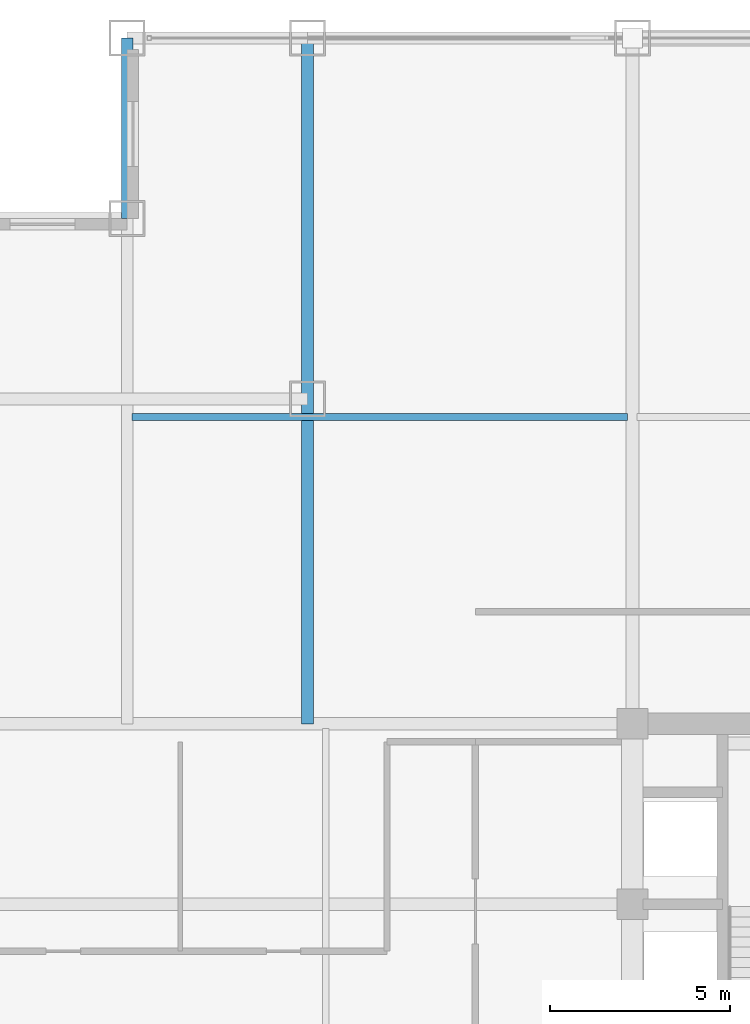
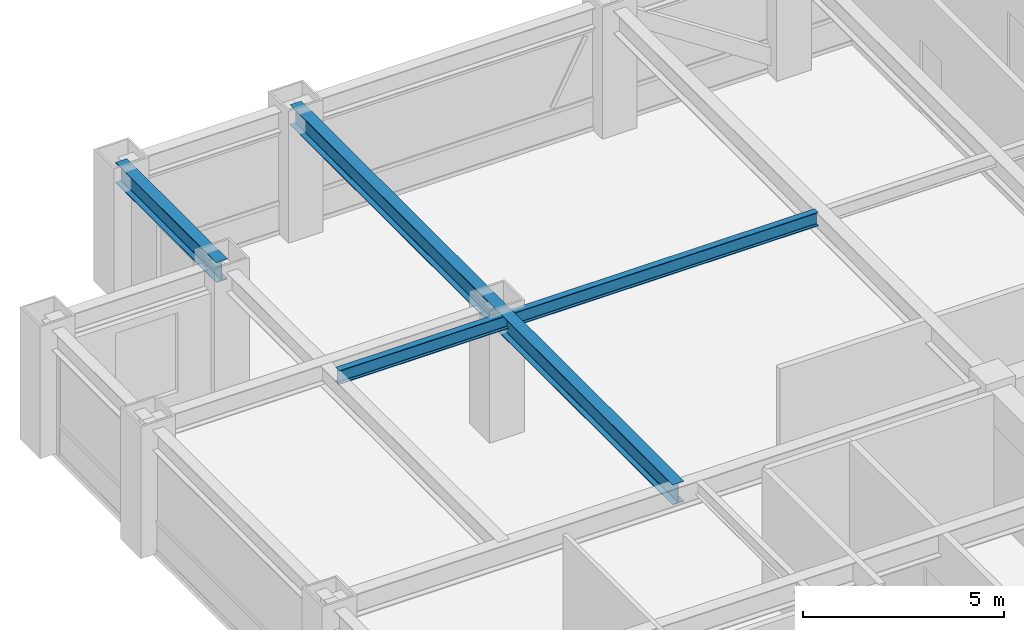
# One storey, part 13 of 25: 3 beams.
"""IFC4 building model written with IfcOpenShell, lengths in metres."""

from ifc_helpers import new_model, si_unit, direction, frame, origin, origin_2d, place, context, subcontext, project, spatial, i_section, extrude, source, transform, mapped, material, material_profile, profile_set, type_object, element, save


model = new_model("IFC4")

# Units and contexts
model_context = context("Model", 3, precision=1e-05, world=origin(), true_north=direction((0.0, 1.0)))
body_context = subcontext(model_context, "Body", "Model", "MODEL_VIEW")
ifc_project = project(units=[si_unit("LENGTHUNIT", "METRE"), si_unit("AREAUNIT", "SQUARE_METRE"), si_unit("VOLUMEUNIT", "CUBIC_METRE"), si_unit("PLANEANGLEUNIT", "RADIAN"), si_unit("MASSUNIT", "GRAM", prefix="KILO")], contexts=[model_context])

# Site, building, storey
site_placement = place(None, origin())
site = spatial("IfcSite", under=ifc_project, at=site_placement, CompositionType="ELEMENT")
building_placement = place(site_placement, origin())
building = spatial("IfcBuilding", under=site, at=building_placement, Name="Khorayat Bourse Tower", CompositionType="ELEMENT")
storey_placement = place(building_placement, frame((0.0, 0.0, 255.10009765625)))
storey = spatial("IfcBuildingStorey", under=building, at=storey_placement, Name="L60", CompositionType="ELEMENT", Elevation=255.10009765625)

# Beams
ifc_material = material(Name="Steel ASTM A992 Grade 50", Category="steel")
ifc_material_profile_1 = material_profile(ifc_material, i_section(OverallWidth=0.324951171875, OverallDepth=0.615966796875, WebThickness=0.013916015625, FlangeThickness=0.021484375, FilletRadius=0.01611328125, at=origin_2d()), Name="W610X174")
ifc_profile_set_1 = profile_set([ifc_material_profile_1], Name="Steel ASTM A992 Grade 50")
beam_type_1 = type_object("IfcBeamType", Name="BM-GIRD-610", PredefinedType="BEAM", material=ifc_profile_set_1)
shared_shape_1 = source(origin(), body_context, "Body", "SweptSolid", [
    extrude(i_section(OverallWidth=0.324951171875, OverallDepth=0.615966796875, WebThickness=0.013916015625, FlangeThickness=0.021484375, FilletRadius=0.01611328125, at=origin_2d()), origin(), (0.0, 0.0, 1.0), 19.0),
])
beam_1_placement = place(storey_placement, frame((-20.0, 11.0, 3.471923828125), z_axis=(0.0, 1.0, 0.0), x_axis=(-1.0, 0.0, 0.0)))
element("IfcBeam", 1, at=beam_1_placement, inside=storey, type_object=beam_type_1, Name="L60 BM-GIRD-610 BM-L60-CNRY-085", PredefinedType="BEAM", context=body_context, shape_type="MappedRepresentation", body=[
    mapped(shared_shape_1, transform((0.0, 0.0, 0.0), scale=1.0)),
])
ifc_material_profile_2 = material_profile(ifc_material, i_section(OverallWidth=0.324951171875, OverallDepth=0.615966796875, WebThickness=0.013916015625, FlangeThickness=0.021484375, FilletRadius=0.01611328125, at=origin_2d()), Name="W610X174")
ifc_profile_set_2 = profile_set([ifc_material_profile_2], Name="Steel ASTM A992 Grade 50")
beam_type_2 = type_object("IfcBeamType", Name="BM-SPAN-610", PredefinedType="SPANDREL", material=ifc_profile_set_2)
shared_shape_2 = source(origin(), body_context, "Body", "SweptSolid", [
    extrude(i_section(OverallWidth=0.324951171875, OverallDepth=0.615966796875, WebThickness=0.013916015625, FlangeThickness=0.021484375, FilletRadius=0.01611328125, at=origin_2d()), origin(), (0.0, 0.0, 1.0), 5.0),
])
beam_2_placement = place(storey_placement, frame((-25.0, 25.0, 3.471923828125), z_axis=(0.0, 1.0, 0.0), x_axis=(-1.0, 0.0, 0.0)))
element("IfcBeam", 2, at=beam_2_placement, inside=storey, type_object=beam_type_2, Name="L60 BM-SPAN-610 BM-L60-SPN-052", PredefinedType="SPANDREL", context=body_context, shape_type="MappedRepresentation", body=[
    mapped(shared_shape_2, transform((0.0, 0.0, 0.0), scale=1.0)),
])
ifc_material_profile_3 = material_profile(ifc_material, i_section(OverallWidth=0.180908203125, OverallDepth=0.4169921875, WebThickness=0.010986328125, FlangeThickness=0.018310546875, FilletRadius=0.011962890625, at=origin_2d()), Name="W410X85")
ifc_profile_set_3 = profile_set([ifc_material_profile_3], Name="Steel ASTM A992 Grade 50")
beam_type_3 = type_object("IfcBeamType", Name="BM-JOIST-410", PredefinedType="JOIST", material=ifc_profile_set_3)
shared_shape_3 = source(origin(), body_context, "Body", "SweptSolid", [
    extrude(i_section(OverallWidth=0.180908203125, OverallDepth=0.4169921875, WebThickness=0.010986328125, FlangeThickness=0.018310546875, FilletRadius=0.011962890625, at=origin_2d()), origin(), (0.0, 0.0, 1.0), 13.740234375),
])
beam_3_placement = place(storey_placement, frame((-24.8701171875, 19.5, 3.5712890625), z_axis=(1.0, 0.0, 0.0), x_axis=(0.0, 1.0, 0.0)))
element("IfcBeam", 3, at=beam_3_placement, inside=storey, type_object=beam_type_3, Name="L60 BM-JOIST-410 BM-L60-JSTX-099", PredefinedType="JOIST", context=body_context, shape_type="MappedRepresentation", body=[
    mapped(shared_shape_3, transform((0.0, 0.0, 0.0), scale=1.0)),
])

save(model, "model.ifc")
